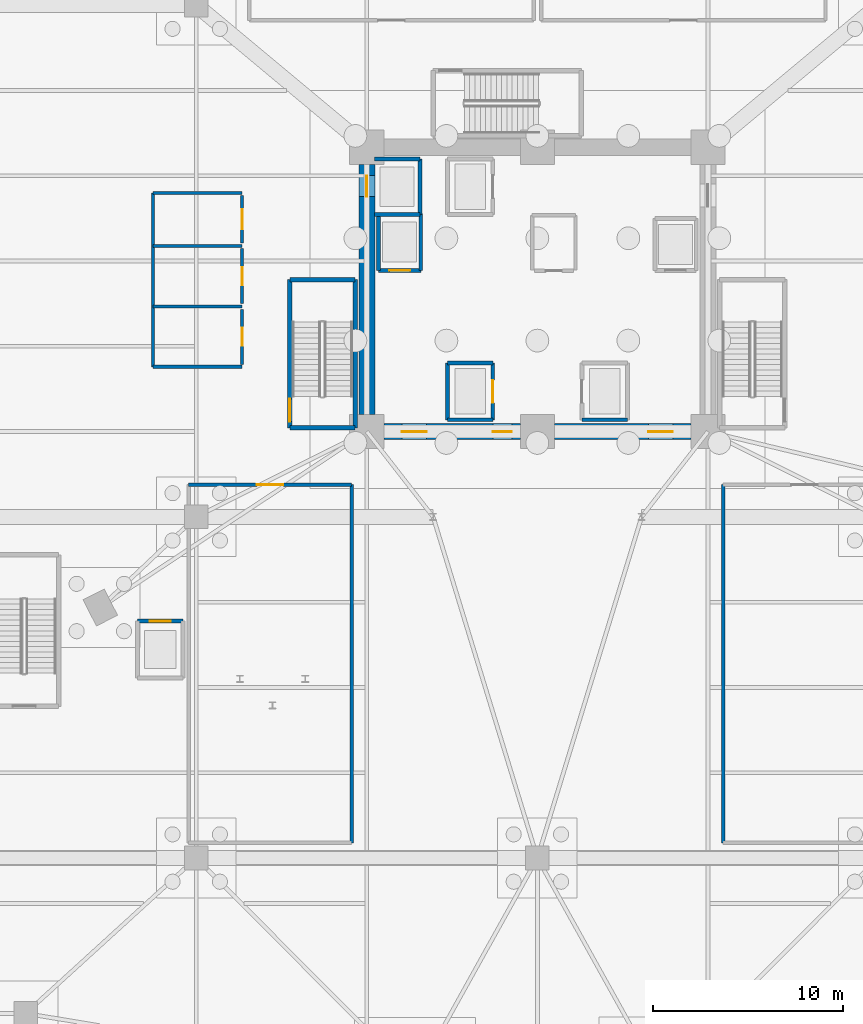
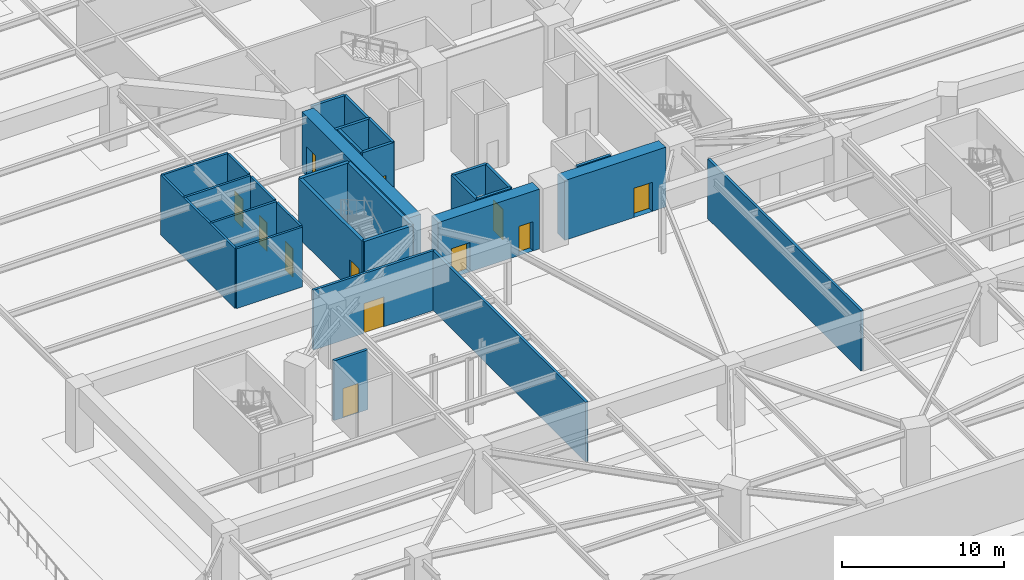
# One storey, part 10 of 19: 30 walls, 12 doors, 12 openings.
"""IFC4 building model written with IfcOpenShell, lengths in metres."""

import ifcopenshell
import ifcopenshell.guid

model = None  # the IFC model being written
_history = None  # IfcOwnerHistory: only IFC2X3 demands one
_inside = {}  # id of a spatial element -> (the spatial element, [elements in it])
_under = {}  # id of a project, library or spatial element -> (it, [spatial elements below it])
_declared = {}  # id of a project -> (the project, [libraries it declares])
_typed = {}  # id of a type object -> (the type object, [elements of that type])
_made_of = {}  # id of a material, layer set ... -> (it, [elements and type objects made of it])


def new_model(schema):
    """Start an empty IFC model of exactly this schema.

    Asked for "IFC4X3", IfcOpenShell would pick the latest addendum, in which some entities
    have other attributes; the version numbers below select the first issue.
    IFC2X3 requires an IfcOwnerHistory on every rooted entity: one is made here for all.
    """
    global model, _history
    if schema == "IFC4X3":
        model = ifcopenshell.file(schema_version=(4, 3, 0, 0))
    else:
        model = ifcopenshell.file(schema=schema)
    _inside.clear()
    _under.clear()
    _declared.clear()
    _typed.clear()
    _made_of.clear()
    _history = None
    if model.schema == "IFC2X3":
        org = make("IfcOrganization", Name="unknown")
        user = make(
            "IfcPersonAndOrganization",
            ThePerson=make("IfcPerson", FamilyName="unknown"),
            TheOrganization=org,
        )
        app = make(
            "IfcApplication",
            ApplicationDeveloper=org,
            Version="unknown",
            ApplicationFullName="unknown",
            ApplicationIdentifier="unknown",
        )
        _history = make(
            "IfcOwnerHistory",
            OwningUser=user,
            OwningApplication=app,
            ChangeAction="ADDED",
            CreationDate=0,
        )
    return model


def make(cls, **values):
    """One entity of the class cls with the attributes given. An attribute that is None is left unset."""
    return model.create_entity(
        cls, **{name: value for name, value in values.items() if value is not None}
    )


def rooted(cls, **values):
    """An entity with a GlobalId (a new one), such as an element, a storey or a relation."""
    return make(cls, GlobalId=ifcopenshell.guid.new(), OwnerHistory=_history, **values)


def si_unit(unit_type, name, prefix=None):
    """IfcSIUnit, for example si_unit("LENGTHUNIT", "METRE", prefix="MILLI")."""
    return make("IfcSIUnit", UnitType=unit_type, Prefix=prefix, Name=name)


def assignment(units):
    """IfcUnitAssignment: the units of a project."""
    return None if units is None else make("IfcUnitAssignment", Units=units)


def point(xyz):
    """IfcCartesianPoint."""
    return None if xyz is None else make("IfcCartesianPoint", Coordinates=xyz)


def direction(xyz):
    """IfcDirection."""
    return None if xyz is None else make("IfcDirection", DirectionRatios=xyz)


def frame(location, z_axis=None, x_axis=None):
    """IfcAxis2Placement3D, a coordinate frame: its origin and axes. An axis left out is left unset."""
    return make(
        "IfcAxis2Placement3D",
        Location=point(location),
        Axis=direction(z_axis),
        RefDirection=direction(x_axis),
    )


def frame_2d(location, x_axis=None):
    """IfcAxis2Placement2D, a coordinate frame in the plane: its origin and x axis."""
    return make(
        "IfcAxis2Placement2D", Location=point(location), RefDirection=direction(x_axis)
    )


def origin():
    """The frame at (0, 0, 0) with its axes left unset."""
    return frame((0.0, 0.0, 0.0))


def place(relative_to, where):
    """IfcLocalPlacement: puts the frame where relative to a parent placement (None: the world)."""
    return make(
        "IfcLocalPlacement", PlacementRelTo=relative_to, RelativePlacement=where
    )


def context(
    kind, dimensions, precision=None, world=None, true_north=None, identifier=None
):
    """IfcGeometricRepresentationContext, for example the 3D "Model" context."""
    return make(
        "IfcGeometricRepresentationContext",
        ContextIdentifier=identifier,
        ContextType=kind,
        CoordinateSpaceDimension=dimensions,
        Precision=precision,
        WorldCoordinateSystem=world,
        TrueNorth=true_north,
    )


def subcontext(parent, identifier, kind, view, scale=None):
    """IfcGeometricRepresentationSubContext, for example "Body" below "Model"."""
    return make(
        "IfcGeometricRepresentationSubContext",
        ContextIdentifier=identifier,
        ContextType=kind,
        ParentContext=parent,
        TargetScale=scale,
        TargetView=view,
    )


def project(units=None, contexts=None):
    """IfcProject with its units and contexts."""
    return rooted(
        "IfcProject",
        Name="project",
        RepresentationContexts=contexts,
        UnitsInContext=assignment(units),
    )


def spatial(cls, under=None, at=None, **own):
    """A site, building, storey or space (cls), placed at a placement, below another one or the project."""
    s = rooted(cls, ObjectPlacement=at, **own)
    if under is not None:
        _under.setdefault(under.id(), (under, []))[1].append(s)
    return s


def profile(cls, at=None, kind="AREA", **sizes):
    """A parametric profile (cls). Its sizes go by their IFC names, for example OverallWidth=200.0."""
    return make(cls, ProfileType=kind, Position=at, **sizes)


def rectangle(**sizes):
    """IfcRectangleProfileDef."""
    return profile("IfcRectangleProfileDef", **sizes)


def extrude(swept, where, along, depth):
    """IfcExtrudedAreaSolid: the profile swept, set in the frame where, extruded along a direction by depth."""
    return make(
        "IfcExtrudedAreaSolid",
        SweptArea=swept,
        Position=where,
        ExtrudedDirection=direction(along),
        Depth=depth,
    )


def shape(context_of_items, identifier, shape_type, items):
    """IfcShapeRepresentation: the items that make up one representation, for example the "Body"."""
    return make(
        "IfcShapeRepresentation",
        ContextOfItems=context_of_items,
        RepresentationIdentifier=identifier,
        RepresentationType=shape_type,
        Items=items,
    )


def source(mapping_origin, context_of_items, identifier, shape_type, items):
    """IfcRepresentationMap: a shape defined once, which mapped items show again and again."""
    return make(
        "IfcRepresentationMap",
        MappingOrigin=mapping_origin,
        MappedRepresentation=shape(context_of_items, identifier, shape_type, items),
    )


def transform(
    local_origin,
    x_axis=None,
    y_axis=None,
    z_axis=None,
    scale=None,
    scale2=None,
    scale3=None,
    uniform=True,
):
    """IfcCartesianTransformationOperator3D, or its non-uniform kind. x_axis, y_axis, z_axis: its Axis1, 2, 3."""
    if uniform:
        return make(
            "IfcCartesianTransformationOperator3D",
            Axis1=direction(x_axis),
            Axis2=direction(y_axis),
            LocalOrigin=point(local_origin),
            Scale=scale,
            Axis3=direction(z_axis),
        )
    return make(
        "IfcCartesianTransformationOperator3DnonUniform",
        Axis1=direction(x_axis),
        Axis2=direction(y_axis),
        LocalOrigin=point(local_origin),
        Scale=scale,
        Axis3=direction(z_axis),
        Scale2=scale2,
        Scale3=scale3,
    )


def mapped(mapping_source, mapping_target):
    """IfcMappedItem: shows the shape of a source again, moved by a transform."""
    return make(
        "IfcMappedItem", MappingSource=mapping_source, MappingTarget=mapping_target
    )


def material(Name=None, Category=None):
    """IfcMaterial."""
    return make("IfcMaterial", Name=Name, Category=Category)


def layer(
    of_material, thickness, ventilated=None, Name=None, Category=None, Priority=None
):
    """IfcMaterialLayer: one layer of a wall or slab, of a material (None: an air gap)."""
    return make(
        "IfcMaterialLayer",
        Material=of_material,
        LayerThickness=thickness,
        IsVentilated=ventilated,
        Name=Name,
        Category=Category,
        Priority=Priority,
    )


def layer_set(layers, Name=None):
    """IfcMaterialLayerSet."""
    return make("IfcMaterialLayerSet", MaterialLayers=layers, LayerSetName=Name)


def made_of(thing, what):
    """Note that an element or type object is made of a material, layer set ...; save() writes the relation."""
    if what is not None:
        _made_of.setdefault(what.id(), (what, []))[1].append(thing)
    return thing


def type_object(cls, material=None, **own):
    """A type object (cls), such as IfcWallType, which elements share."""
    return made_of(rooted(cls, **own), material)


def element(
    cls,
    number,
    at=None,
    inside=None,
    cuts=None,
    type_object=None,
    material=None,
    context=None,
    identifier="Body",
    shape_type=None,
    held_by="IfcProductDefinitionShape",
    body=None,
    shapes=None,
    **own,
):
    """One element of the class cls, such as IfcWall. Its Tag is "e" and its number.

    at: its placement. inside: the storey or other place that contains it. cuts: it is an
    opening in that element (IfcRelVoidsElement). A single representation is given by context,
    identifier, shape_type and body (its items); several are given by shapes. held_by: the class
    of the entity that holds the representations. save() writes the other relations.
    """
    e = rooted(cls, Tag="e%d" % number, ObjectPlacement=at, **own)
    if body is not None:
        shapes = [shape(context, identifier, shape_type, body)]
    if shapes is not None:
        e.Representation = make(held_by, Representations=shapes)
    if inside is not None:
        _inside.setdefault(inside.id(), (inside, []))[1].append(e)
    if cuts is not None:
        rooted(
            "IfcRelVoidsElement", RelatingBuildingElement=cuts, RelatedOpeningElement=e
        )
    if type_object is not None:
        _typed.setdefault(type_object.id(), (type_object, []))[1].append(e)
    return made_of(e, material)


def fill(opening, filler):
    """IfcRelFillsElement: the door or window that sits in an opening."""
    return rooted(
        "IfcRelFillsElement",
        RelatingOpeningElement=opening,
        RelatedBuildingElement=filler,
    )


def aggregate(whole, parts):
    """IfcRelAggregates: a whole, such as a stair, and the parts it consists of."""
    return rooted("IfcRelAggregates", RelatingObject=whole, RelatedObjects=parts)


def save(model, path):
    """Write the relations noted so far, then the file.

    IfcRelAggregates (storeys below a building ...), IfcRelContainedInSpatialStructure (elements
    in a storey), IfcRelDefinesByType, IfcRelAssociatesMaterial and IfcRelDeclares: one each for
    every whole, place, type object, material and project.
    """
    for whole, parts in _under.values():
        aggregate(whole, parts)
    for where, things in _inside.values():
        rooted(
            "IfcRelContainedInSpatialStructure",
            RelatedElements=things,
            RelatingStructure=where,
        )
    for kind, things in _typed.values():
        rooted("IfcRelDefinesByType", RelatedObjects=things, RelatingType=kind)
    for what, things in _made_of.values():
        rooted("IfcRelAssociatesMaterial", RelatedObjects=things, RelatingMaterial=what)
    for by, libraries in _declared.values():
        rooted("IfcRelDeclares", RelatingContext=by, RelatedDefinitions=libraries)
    model.write(path)


model = new_model("IFC4")

# Units and contexts
model_context = context("Model", 3, precision=1e-05, world=origin(), true_north=direction((0.0, 1.0)))
body_context = subcontext(model_context, "Body", "Model", "MODEL_VIEW")
ifc_project = project(units=[si_unit("LENGTHUNIT", "METRE"), si_unit("AREAUNIT", "SQUARE_METRE"), si_unit("VOLUMEUNIT", "CUBIC_METRE"), si_unit("PLANEANGLEUNIT", "RADIAN"), si_unit("MASSUNIT", "GRAM", prefix="KILO")], contexts=[model_context])

# Site, building, storey
site_placement = place(None, origin())
site = spatial("IfcSite", under=ifc_project, at=site_placement, CompositionType="ELEMENT")
building_placement = place(site_placement, origin())
building = spatial("IfcBuilding", under=site, at=building_placement, Name="Liaohun Quay Tower", CompositionType="ELEMENT")
storey_placement = place(building_placement, frame((0.0, 0.0, -9.60009765625)))
storey = spatial("IfcBuildingStorey", under=building, at=storey_placement, Name="B2", CompositionType="ELEMENT", Elevation=-9.60009765625)

# Wall, opening, door
ifc_material_1 = material(Name="Concrete C60", Category="concrete")
ifc_layer_1 = layer(ifc_material_1, 0.85009765625, Name="Concrete C60", Category="concrete")
ifc_layer_set_1 = layer_set([ifc_layer_1], Name="Concrete C60")
wall_type_1 = type_object("IfcWallType", Name="WAL-COR-Z1", PredefinedType="SHEAR", material=ifc_layer_set_1)
wall_1_placement = place(storey_placement, frame((68.10009765625, 46.5, 0.0), z_axis=(0.0, 0.0, 1.0), x_axis=(-1.0, 0.0, 0.0)))
wall_1 = element("IfcWall", 1, at=wall_1_placement, inside=storey, type_object=wall_type_1, Name="B2 Central Core Shear Wall S-E", PredefinedType="SHEAR", context=body_context, shape_type="SweptSolid", body=[
    extrude(rectangle(XDim=7.2001953125, YDim=0.85009765625, at=frame_2d((3.60009765625, 0.0))), origin(), (0.0, 0.0, 1.0), 4.5),
])
shared_shape_1 = source(origin(), body_context, "Body", "SweptSolid", [
    extrude(rectangle(XDim=1.300048828125, YDim=2.199951171875, at=frame_2d((0.64990234375, 1.10009765625))), frame((0.0, 0.43505859375, 0.0), z_axis=(0.0, -1.0, 0.0), x_axis=(1.0, 0.0, 0.0)), (0.0, 0.0, 1.0), 0.8701171875),
])
opening_1_placement = place(wall_1_placement, frame((0.949951171875, 0.0, 0.0)))
opening_1 = element("IfcOpeningElement", 2, at=opening_1_placement, cuts=wall_1, Name="Opening FD1", PredefinedType="OPENING", context=body_context, shape_type="MappedRepresentation", body=[
    mapped(shared_shape_1, transform((0.0, 0.0, 0.0), x_axis=(1.0, 0.0, 0.0), y_axis=(0.0, 1.0, 0.0), z_axis=(0.0, 0.0, 1.0), scale=1.0)),
])
ifc_material_2 = material(Name="Galvanised steel smokeproof fire door", Category="steel")
door_type_1 = type_object("IfcDoorType", Name="DOR-FFL-1300", OperationType="NOTDEFINED", PredefinedType="DOOR", material=ifc_material_2)
shared_shape_2 = source(origin(), body_context, "Body", "SweptSolid", [
    extrude(rectangle(XDim=1.300048828125, YDim=2.199951171875, at=frame_2d((0.64990234375, 1.10009765625))), frame((0.0, 0.02490234375, 0.0), z_axis=(0.0, -1.0, 0.0), x_axis=(1.0, 0.0, 0.0)), (0.0, 0.0, 1.0), 0.050048828125),
])
door_1_placement = place(opening_1_placement, origin())
door_1 = element("IfcDoor", 3, at=door_1_placement, inside=storey, type_object=door_type_1, Name="B2 East Core Lift Lobby Smokeproof Door", OperationType="SINGLE_SWING_LEFT", OverallHeight=2.199951171875, OverallWidth=1.300048828125, PredefinedType="DOOR", context=body_context, shape_type="MappedRepresentation", body=[
    mapped(shared_shape_2, transform((0.0, 0.0, 0.0), x_axis=(1.0, 0.0, 0.0), y_axis=(0.0, 1.0, 0.0), z_axis=(0.0, 0.0, 1.0), scale=1.0)),
])
fill(opening_1, door_1)

# Wall, openings, doors
wall_2_placement = place(storey_placement, frame((59.10009765625, 46.5, 0.0), z_axis=(0.0, 0.0, 1.0), x_axis=(-1.0, 0.0, 0.0)))
wall_2 = element("IfcWall", 4, at=wall_2_placement, inside=storey, type_object=wall_type_1, Name="B2 Central Core Shear Wall S-W", PredefinedType="SHEAR", context=body_context, shape_type="SweptSolid", body=[
    extrude(rectangle(XDim=7.2001953125, YDim=0.85009765625, at=frame_2d((3.60009765625, 0.0))), origin(), (0.0, 0.0, 1.0), 4.5),
])
opening_2_placement = place(wall_2_placement, frame((4.949951171875, 0.0, 0.0)))
opening_2 = element("IfcOpeningElement", 5, at=opening_2_placement, cuts=wall_2, Name="Opening FD1", PredefinedType="OPENING", context=body_context, shape_type="MappedRepresentation", body=[
    mapped(shared_shape_1, transform((0.0, 0.0, 0.0), x_axis=(1.0, 0.0, 0.0), y_axis=(0.0, 1.0, 0.0), z_axis=(0.0, 0.0, 1.0), scale=1.0)),
])
shared_shape_3 = source(origin(), body_context, "Body", "SweptSolid", [
    extrude(rectangle(XDim=1.0, YDim=2.199951171875, at=frame_2d((0.5, 1.10009765625))), frame((0.0, 0.43505859375, 0.0), z_axis=(0.0, -1.0, 0.0), x_axis=(1.0, 0.0, 0.0)), (0.0, 0.0, 1.0), 0.8701171875),
])
opening_3_placement = place(wall_2_placement, frame((0.449951171875, 0.0, 0.0)))
opening_3 = element("IfcOpeningElement", 6, at=opening_3_placement, cuts=wall_2, Name="Opening FD2", PredefinedType="OPENING", context=body_context, shape_type="MappedRepresentation", body=[
    mapped(shared_shape_3, transform((0.0, 0.0, 0.0), x_axis=(1.0, 0.0, 0.0), y_axis=(0.0, 1.0, 0.0), z_axis=(0.0, 0.0, 1.0), scale=1.0)),
])
door_2_placement = place(opening_2_placement, origin())
door_2 = element("IfcDoor", 7, at=door_2_placement, inside=storey, type_object=door_type_1, Name="B2 West Core Lift Lobby Smokeproof Door", OperationType="SINGLE_SWING_RIGHT", OverallHeight=2.199951171875, OverallWidth=1.300048828125, PredefinedType="DOOR", context=body_context, shape_type="MappedRepresentation", body=[
    mapped(shared_shape_2, transform((0.0, 0.0, 0.0), x_axis=(1.0, 0.0, 0.0), y_axis=(0.0, 1.0, 0.0), z_axis=(0.0, 0.0, 1.0), scale=1.0)),
])
fill(opening_2, door_2)
ifc_material_3 = material(Name="Galvanised steel smokeproof lobby fire door", Category="steel")
door_type_2 = type_object("IfcDoorType", Name="DOR-FFL-1000", OperationType="NOTDEFINED", PredefinedType="DOOR", material=ifc_material_3)
shared_shape_4 = source(origin(), body_context, "Body", "SweptSolid", [
    extrude(rectangle(XDim=1.0, YDim=2.199951171875, at=frame_2d((0.5, 1.10009765625))), frame((0.0, 0.02490234375, 0.0), z_axis=(0.0, -1.0, 0.0), x_axis=(1.0, 0.0, 0.0)), (0.0, 0.0, 1.0), 0.050048828125),
])
door_3_placement = place(opening_3_placement, origin())
door_3 = element("IfcDoor", 8, at=door_3_placement, inside=storey, type_object=door_type_2, Name="B2 South Firefighting Lobby Smokeproof Door", OperationType="SINGLE_SWING_LEFT", OverallHeight=2.199951171875, OverallWidth=1.0, PredefinedType="DOOR", context=body_context, shape_type="MappedRepresentation", body=[
    mapped(shared_shape_4, transform((0.0, 0.0, 0.0), x_axis=(1.0, 0.0, 0.0), y_axis=(0.0, 1.0, 0.0), z_axis=(0.0, 0.0, 1.0), scale=1.0)),
])
fill(opening_3, door_3)

# Wall, opening, door
wall_3_placement = place(storey_placement, frame((51.0, 47.39990234375, 0.0), z_axis=(0.0, 0.0, 1.0), x_axis=(0.0, 1.0, 0.0)))
wall_3 = element("IfcWall", 9, at=wall_3_placement, inside=storey, type_object=wall_type_1, Name="B2 Central Core Shear Wall W", PredefinedType="SHEAR", context=body_context, shape_type="SweptSolid", body=[
    extrude(rectangle(XDim=13.2001953125, YDim=0.85009765625, at=frame_2d((6.60009765625, 0.0))), origin(), (0.0, 0.0, 1.0), 4.5),
])
shared_shape_5 = source(origin(), body_context, "Body", "SweptSolid", [
    extrude(rectangle(XDim=1.10009765625, YDim=2.199951171875, at=frame_2d((0.550048828125, 1.10009765625))), frame((0.0, 0.43505859375, 0.0), z_axis=(0.0, -1.0, 0.0), x_axis=(1.0, 0.0, 0.0)), (0.0, 0.0, 1.0), 0.8701171875),
])
opening_4_placement = place(wall_3_placement, frame((11.5, 0.0, 0.0)))
opening_4 = element("IfcOpeningElement", 10, at=opening_4_placement, cuts=wall_3, Name="Opening LD1", PredefinedType="OPENING", context=body_context, shape_type="MappedRepresentation", body=[
    mapped(shared_shape_5, transform((0.0, 0.0, 0.0), x_axis=(1.0, 0.0, 0.0), y_axis=(0.0, 1.0, 0.0), z_axis=(0.0, 0.0, 1.0), scale=1.0)),
])
ifc_material_4 = material(Name="Brushed stainless steel landing door", Category="steel")
door_type_3 = type_object("IfcDoorType", Name="DOR-LFT-1100", OperationType="SLIDING_TO_LEFT", PredefinedType="DOOR", material=ifc_material_4)
shared_shape_6 = source(origin(), body_context, "Body", "SweptSolid", [
    extrude(rectangle(XDim=1.10009765625, YDim=2.199951171875, at=frame_2d((0.550048828125, 1.10009765625))), frame((0.0, 0.02490234375, 0.0), z_axis=(0.0, -1.0, 0.0), x_axis=(1.0, 0.0, 0.0)), (0.0, 0.0, 1.0), 0.050048828125),
])
door_4_placement = place(opening_4_placement, origin())
door_4 = element("IfcDoor", 11, at=door_4_placement, inside=storey, type_object=door_type_3, Name="B2 Lift SH-01 Sliding Landing Door", OperationType="SLIDING_TO_LEFT", OverallHeight=2.199951171875, OverallWidth=1.10009765625, PredefinedType="DOOR", context=body_context, shape_type="MappedRepresentation", body=[
    mapped(shared_shape_6, transform((0.0, 0.0, 0.0), x_axis=(1.0, 0.0, 0.0), y_axis=(0.0, 1.0, 0.0), z_axis=(0.0, 0.0, 1.0), scale=1.0)),
])
fill(opening_4, door_4)

ifc_material_5 = material(Name="Autoclaved aerated concrete blockwork", Category="masonry")
ifc_layer_2 = layer(ifc_material_5, 0.179931640625, Name="Autoclaved aerated concrete blockwork", Category="masonry")
ifc_layer_set_2 = layer_set([ifc_layer_2], Name="Autoclaved aerated concrete blockwork")
wall_type_2 = type_object("IfcWallType", Name="WAL-PRT-COR", PredefinedType="PARTITIONING", material=ifc_layer_set_2)
wall_4_placement = place(storey_placement, frame((41.60009765625, 43.699951171875, 0.0), z_axis=(0.0, 0.0, 1.0), x_axis=(1.0, 0.0, 0.0)))
wall_4 = element("IfcWall", 12, at=wall_4_placement, inside=storey, type_object=wall_type_2, Name="B2 Interior Partition Wall 005", PredefinedType="PARTITIONING", context=body_context, shape_type="SweptSolid", body=[
    extrude(rectangle(XDim=8.599853515625, YDim=0.179931640625, at=frame_2d((4.2998046875, 0.0))), origin(), (0.0, 0.0, 1.0), 4.5),
])
shared_shape_7 = source(origin(), body_context, "Body", "SweptSolid", [
    extrude(rectangle(XDim=1.39990234375, YDim=2.25, at=frame_2d((0.699951171875, 1.125))), frame((0.0, 0.099853515625, 0.0), z_axis=(0.0, -1.0, 0.0), x_axis=(1.0, 0.0, 0.0)), (0.0, 0.0, 1.0), 0.199951171875),
])
opening_5_placement = place(wall_4_placement, frame((3.60009765625, 0.0, 0.0)))
opening_5 = element("IfcOpeningElement", 13, at=opening_5_placement, cuts=wall_4, Name="Opening MD1", PredefinedType="OPENING", context=body_context, shape_type="MappedRepresentation", body=[
    mapped(shared_shape_7, transform((0.0, 0.0, 0.0), x_axis=(1.0, 0.0, 0.0), y_axis=(0.0, 1.0, 0.0), z_axis=(0.0, 0.0, 1.0), scale=1.0)),
])
ifc_material_6 = material(Name="Insulated steel plant room door", Category="steel")
door_type_4 = type_object("IfcDoorType", Name="DOR-MEP-1400", OperationType="DOUBLE_DOOR_SINGLE_SWING", PredefinedType="DOOR", material=ifc_material_6)
shared_shape_8 = source(origin(), body_context, "Body", "SweptSolid", [
    extrude(rectangle(XDim=1.39990234375, YDim=2.25, at=frame_2d((0.699951171875, 1.125))), frame((0.0, 0.02490234375, 0.0), z_axis=(0.0, -1.0, 0.0), x_axis=(1.0, 0.0, 0.0)), (0.0, 0.0, 1.0), 0.050048828125),
])
door_5_placement = place(opening_5_placement, origin())
door_5 = element("IfcDoor", 14, at=door_5_placement, inside=storey, type_object=door_type_4, Name="B2 Basement District Heating and Chiller Plant Room Door", OperationType="DOUBLE_DOOR_SINGLE_SWING", OverallHeight=2.25, OverallWidth=1.39990234375, PredefinedType="DOOR", context=body_context, shape_type="MappedRepresentation", body=[
    mapped(shared_shape_8, transform((0.0, 0.0, 0.0), x_axis=(1.0, 0.0, 0.0), y_axis=(0.0, 1.0, 0.0), z_axis=(0.0, 0.0, 1.0), scale=1.0)),
])
fill(opening_5, door_5)

# Walls
for number, where, z_axis, x_axis, name in (
    (15, (50.199951171875, 24.800048828125, 0.0), (0.0, 0.0, 1.0), (0.0, 1.0, 0.0), "B2 Interior Partition Wall 019"),
    (16, (69.800048828125, 24.800048828125, 0.0), (0.0, 0.0, 1.0), (0.0, 1.0, 0.0), "B2 Interior Partition Wall 021"),
):
    element("IfcWall", number, at=place(storey_placement, frame(where, z_axis=z_axis, x_axis=x_axis)), inside=storey, type_object=wall_type_2, Name=name, PredefinedType="PARTITIONING", context=body_context, shape_type="SweptSolid", body=[
        extrude(rectangle(XDim=18.89990234375, YDim=0.179931640625, at=frame_2d((9.449951171875, 0.0))), origin(), (0.0, 0.0, 1.0), 4.5),
    ])

# Wall, opening, door
ifc_material_7 = material(Name="Moisture-resistant masonry blockwork", Category="masonry")
ifc_layer_3 = layer(ifc_material_7, 0.159912109375, Name="Moisture-resistant masonry blockwork", Category="masonry")
ifc_layer_set_3 = layer_set([ifc_layer_3], Name="Moisture-resistant masonry blockwork")
wall_type_3 = type_object("IfcWallType", Name="WAL-PRT-WET", PredefinedType="PARTITIONING", material=ifc_layer_set_3)
wall_5_placement = place(storey_placement, frame((44.419921875, 50.050048828125, 0.0), z_axis=(0.0, 0.0, 1.0), x_axis=(0.0, 1.0, 0.0)))
wall_5 = element("IfcWall", 17, at=wall_5_placement, inside=storey, type_object=wall_type_3, Name="B2 Interior Partition Wall 002", PredefinedType="PARTITIONING", context=body_context, shape_type="SweptSolid", body=[
    extrude(rectangle(XDim=2.89990234375, YDim=0.159912109375, at=frame_2d((1.449951171875, 0.0))), origin(), (0.0, 0.0, 1.0), 4.5),
])
shared_shape_9 = source(origin(), body_context, "Body", "SweptSolid", [
    extrude(rectangle(XDim=0.949951171875, YDim=2.14990234375, at=frame_2d((0.47509765625, 1.074951171875))), frame((0.0, 0.08984375, 0.0), z_axis=(0.0, -1.0, 0.0), x_axis=(1.0, 0.0, 0.0)), (0.0, 0.0, 1.0), 0.179931640625),
])
opening_6_placement = place(wall_5_placement, frame((0.97509765625, 0.0, 0.0)))
opening_6 = element("IfcOpeningElement", 18, at=opening_6_placement, cuts=wall_5, Name="Opening WD1", PredefinedType="OPENING", context=body_context, shape_type="MappedRepresentation", body=[
    mapped(shared_shape_9, transform((0.0, 0.0, 0.0), x_axis=(1.0, 0.0, 0.0), y_axis=(0.0, 1.0, 0.0), z_axis=(0.0, 0.0, 1.0), scale=1.0)),
])
ifc_material_8 = material(Name="Moisture-resistant laminate timber leaf", Category="wood")
door_type_5 = type_object("IfcDoorType", Name="DOR-WC-950", OperationType="NOTDEFINED", PredefinedType="DOOR", material=ifc_material_8)
shared_shape_10 = source(origin(), body_context, "Body", "SweptSolid", [
    extrude(rectangle(XDim=0.949951171875, YDim=2.14990234375, at=frame_2d((0.47509765625, 1.074951171875))), frame((0.0, 0.02490234375, 0.0), z_axis=(0.0, -1.0, 0.0), x_axis=(1.0, 0.0, 0.0)), (0.0, 0.0, 1.0), 0.050048828125),
])
door_6_placement = place(opening_6_placement, origin())
door_6 = element("IfcDoor", 19, at=door_6_placement, inside=storey, type_object=door_type_5, Name="B2 Basement Male Restroom WC Door", OperationType="SINGLE_SWING_LEFT", OverallHeight=2.14990234375, OverallWidth=0.949951171875, PredefinedType="DOOR", context=body_context, shape_type="MappedRepresentation", body=[
    mapped(shared_shape_10, transform((0.0, 0.0, 0.0), x_axis=(1.0, 0.0, 0.0), y_axis=(0.0, 1.0, 0.0), z_axis=(0.0, 0.0, 1.0), scale=1.0)),
])
fill(opening_6, door_6)

wall_6_placement = place(storey_placement, frame((44.419921875, 53.25, 0.0), z_axis=(0.0, 0.0, 1.0), x_axis=(0.0, 1.0, 0.0)))
wall_6 = element("IfcWall", 20, at=wall_6_placement, inside=storey, type_object=wall_type_3, Name="B2 Interior Partition Wall 003", PredefinedType="PARTITIONING", context=body_context, shape_type="SweptSolid", body=[
    extrude(rectangle(XDim=2.89990234375, YDim=0.159912109375, at=frame_2d((1.449951171875, 0.0))), origin(), (0.0, 0.0, 1.0), 4.5),
])
opening_7_placement = place(wall_6_placement, frame((0.97509765625, 0.0, 0.0)))
opening_7 = element("IfcOpeningElement", 21, at=opening_7_placement, cuts=wall_6, Name="Opening WD1", PredefinedType="OPENING", context=body_context, shape_type="MappedRepresentation", body=[
    mapped(shared_shape_9, transform((0.0, 0.0, 0.0), x_axis=(1.0, 0.0, 0.0), y_axis=(0.0, 1.0, 0.0), z_axis=(0.0, 0.0, 1.0), scale=1.0)),
])
door_7_placement = place(opening_7_placement, origin())
door_7 = element("IfcDoor", 22, at=door_7_placement, inside=storey, type_object=door_type_5, Name="B2 Basement Female Restroom WC Door", OperationType="SINGLE_SWING_RIGHT", OverallHeight=2.14990234375, OverallWidth=0.949951171875, PredefinedType="DOOR", context=body_context, shape_type="MappedRepresentation", body=[
    mapped(shared_shape_10, transform((0.0, 0.0, 0.0), x_axis=(1.0, 0.0, 0.0), y_axis=(0.0, 1.0, 0.0), z_axis=(0.0, 0.0, 1.0), scale=1.0)),
])
fill(opening_7, door_7)

wall_7_placement = place(storey_placement, frame((44.419921875, 56.449951171875, 0.0), z_axis=(0.0, 0.0, 1.0), x_axis=(0.0, 1.0, 0.0)))
wall_7 = element("IfcWall", 23, at=wall_7_placement, inside=storey, type_object=wall_type_3, Name="B2 Interior Partition Wall 004", PredefinedType="PARTITIONING", context=body_context, shape_type="SweptSolid", body=[
    extrude(rectangle(XDim=2.5, YDim=0.159912109375, at=frame_2d((1.25, 0.0))), origin(), (0.0, 0.0, 1.0), 4.5),
])
shared_shape_11 = source(origin(), body_context, "Body", "SweptSolid", [
    extrude(rectangle(XDim=1.050048828125, YDim=2.14990234375, at=frame_2d((0.52490234375, 1.074951171875))), frame((0.0, 0.08984375, 0.0), z_axis=(0.0, -1.0, 0.0), x_axis=(1.0, 0.0, 0.0)), (0.0, 0.0, 1.0), 0.179931640625),
])
opening_8_placement = place(wall_7_placement, frame((0.72509765625, 0.0, 0.0)))
opening_8 = element("IfcOpeningElement", 24, at=opening_8_placement, cuts=wall_7, Name="Opening WD2", PredefinedType="OPENING", context=body_context, shape_type="MappedRepresentation", body=[
    mapped(shared_shape_11, transform((0.0, 0.0, 0.0), x_axis=(1.0, 0.0, 0.0), y_axis=(0.0, 1.0, 0.0), z_axis=(0.0, 0.0, 1.0), scale=1.0)),
])
ifc_material_9 = material(Name="Accessible outward-swinging laminate door")
door_type_6 = type_object("IfcDoorType", Name="DOR-AWC-1050", OperationType="NOTDEFINED", PredefinedType="DOOR", material=ifc_material_9)
shared_shape_12 = source(origin(), body_context, "Body", "SweptSolid", [
    extrude(rectangle(XDim=1.050048828125, YDim=2.14990234375, at=frame_2d((0.52490234375, 1.074951171875))), frame((0.0, 0.02490234375, 0.0), z_axis=(0.0, -1.0, 0.0), x_axis=(1.0, 0.0, 0.0)), (0.0, 0.0, 1.0), 0.050048828125),
])
door_8_placement = place(opening_8_placement, origin())
door_8 = element("IfcDoor", 25, at=door_8_placement, inside=storey, type_object=door_type_6, Name="B2 Basement Accessible WC Door", OperationType="SINGLE_SWING_LEFT", OverallHeight=2.14990234375, OverallWidth=1.050048828125, PredefinedType="DOOR", context=body_context, shape_type="MappedRepresentation", body=[
    mapped(shared_shape_12, transform((0.0, 0.0, 0.0), x_axis=(1.0, 0.0, 0.0), y_axis=(0.0, 1.0, 0.0), z_axis=(0.0, 0.0, 1.0), scale=1.0)),
])
fill(opening_8, door_8)

# Walls
wall_8_placement = place(storey_placement, frame((39.719970703125, 49.919921875, 0.0), z_axis=(0.0, 0.0, 1.0), x_axis=(0.0, 1.0, 0.0)))
element("IfcWall", 26, at=wall_8_placement, inside=storey, type_object=wall_type_3, Name="B2 Interior Partition Wall 012", PredefinedType="PARTITIONING", context=body_context, shape_type="SweptSolid", body=[
    extrude(rectangle(XDim=9.16015625, YDim=0.159912109375, at=frame_2d((4.580078125, 0.0))), origin(), (0.0, 0.0, 1.0), 4.5),
])
for number, where, z_axis, x_axis, name in (
    (27, (39.719970703125, 49.919921875, 0.0), (0.0, 0.0, 1.0), (1.0, 0.0, 0.0), "B2 Interior Partition Wall 013"),
    (28, (39.719970703125, 53.10009765625, 0.0), (0.0, 0.0, 1.0), (1.0, 0.0, 0.0), "B2 Interior Partition Wall 014"),
    (29, (39.719970703125, 56.300048828125, 0.0), (0.0, 0.0, 1.0), (1.0, 0.0, 0.0), "B2 Interior Partition Wall 015"),
    (30, (39.719970703125, 59.080078125, 0.0), (0.0, 0.0, 1.0), (1.0, 0.0, 0.0), "B2 Interior Partition Wall 016"),
):
    element("IfcWall", number, at=place(storey_placement, frame(where, z_axis=z_axis, x_axis=x_axis)), inside=storey, type_object=wall_type_3, Name=name, PredefinedType="PARTITIONING", context=body_context, shape_type="SweptSolid", body=[
        extrude(rectangle(XDim=4.699951171875, YDim=0.159912109375, at=frame_2d((2.35009765625, 0.0))), origin(), (0.0, 0.0, 1.0), 4.5),
    ])
ifc_material_10 = material(Name="Concrete C50", Category="concrete")
ifc_layer_4 = layer(ifc_material_10, 0.239990234375, Name="Concrete C50", Category="concrete")
ifc_layer_set_4 = layer_set([ifc_layer_4], Name="Concrete C50")
wall_type_4 = type_object("IfcWallType", Name="WAL-SHF-200", PredefinedType="SOLIDWALL", material=ifc_layer_set_4)
wall_9_placement = place(storey_placement, frame((46.93994140625, 46.699951171875, 0.0), z_axis=(0.0, 0.0, 1.0), x_axis=(1.0, 0.0, 0.0)))
element("IfcWall", 31, at=wall_9_placement, inside=storey, type_object=wall_type_4, Name="B2 Stairwell ST-1 Structural Core Wall S", PredefinedType="SOLIDWALL", context=body_context, shape_type="SweptSolid", body=[
    extrude(rectangle(XDim=3.43994140625, YDim=0.239990234375, at=frame_2d((1.719970703125, 0.0))), origin(), (0.0, 0.0, 1.0), 4.5),
])
wall_10_placement = place(storey_placement, frame((50.3798828125, 46.699951171875, 0.0), z_axis=(0.0, 0.0, 1.0), x_axis=(0.0, 1.0, 0.0)))
element("IfcWall", 32, at=wall_10_placement, inside=storey, type_object=wall_type_4, Name="B2 Stairwell ST-1 Structural Core Wall E", PredefinedType="SOLIDWALL", context=body_context, shape_type="SweptSolid", body=[
    extrude(rectangle(XDim=7.820068359375, YDim=0.239990234375, at=frame_2d((3.91015625, 0.0))), origin(), (0.0, 0.0, 1.0), 4.5),
])
wall_11_placement = place(storey_placement, frame((50.3798828125, 54.52001953125, 0.0), z_axis=(0.0, 0.0, 1.0), x_axis=(-1.0, 0.0, 0.0)))
element("IfcWall", 33, at=wall_11_placement, inside=storey, type_object=wall_type_4, Name="B2 Stairwell ST-1 Structural Core Wall N", PredefinedType="SOLIDWALL", context=body_context, shape_type="SweptSolid", body=[
    extrude(rectangle(XDim=3.43994140625, YDim=0.239990234375, at=frame_2d((1.719970703125, 0.0))), origin(), (0.0, 0.0, 1.0), 4.5),
])

# Wall, opening, door
wall_12_placement = place(storey_placement, frame((46.93994140625, 54.52001953125, 0.0), z_axis=(0.0, 0.0, 1.0), x_axis=(0.0, -1.0, 0.0)))
wall_12 = element("IfcWall", 34, at=wall_12_placement, inside=storey, type_object=wall_type_4, Name="B2 Stairwell ST-1 Structural Core Wall W", PredefinedType="SOLIDWALL", context=body_context, shape_type="SweptSolid", body=[
    extrude(rectangle(XDim=7.820068359375, YDim=0.239990234375, at=frame_2d((3.91015625, 0.0))), origin(), (0.0, 0.0, 1.0), 4.5),
])
shared_shape_13 = source(origin(), body_context, "Body", "SweptSolid", [
    extrude(rectangle(XDim=1.199951171875, YDim=2.199951171875, at=frame_2d((0.60009765625, 1.10009765625))), frame((0.0, 0.1298828125, 0.0), z_axis=(0.0, -1.0, 0.0), x_axis=(1.0, 0.0, 0.0)), (0.0, 0.0, 1.0), 0.260009765625),
])
opening_9_placement = place(wall_12_placement, frame((6.300048828125, 0.0, 0.0)))
opening_9 = element("IfcOpeningElement", 35, at=opening_9_placement, cuts=wall_12, Name="Opening SD1", PredefinedType="OPENING", context=body_context, shape_type="MappedRepresentation", body=[
    mapped(shared_shape_13, transform((0.0, 0.0, 0.0), x_axis=(1.0, 0.0, 0.0), y_axis=(0.0, 1.0, 0.0), z_axis=(0.0, 0.0, 1.0), scale=1.0)),
])
ifc_material_11 = material(Name="Galvanised steel fire door", Category="steel")
door_type_7 = type_object("IfcDoorType", Name="DOR-STR-1200", OperationType="NOTDEFINED", PredefinedType="DOOR", material=ifc_material_11)
shared_shape_14 = source(origin(), body_context, "Body", "SweptSolid", [
    extrude(rectangle(XDim=1.199951171875, YDim=2.199951171875, at=frame_2d((0.60009765625, 1.10009765625))), frame((0.0, 0.02490234375, 0.0), z_axis=(0.0, -1.0, 0.0), x_axis=(1.0, 0.0, 0.0)), (0.0, 0.0, 1.0), 0.050048828125),
])
door_9_placement = place(opening_9_placement, origin())
door_9 = element("IfcDoor", 36, at=door_9_placement, inside=storey, type_object=door_type_7, Name="B2 Protected Stair ST-1 Fire Door", OperationType="SINGLE_SWING_LEFT", OverallHeight=2.199951171875, OverallWidth=1.199951171875, PredefinedType="DOOR", context=body_context, shape_type="MappedRepresentation", body=[
    mapped(shared_shape_14, transform((0.0, 0.0, 0.0), x_axis=(1.0, 0.0, 0.0), y_axis=(0.0, 1.0, 0.0), z_axis=(0.0, 0.0, 1.0), scale=1.0)),
])
fill(opening_9, door_9)

# Wall
wall_13_placement = place(storey_placement, frame((55.25, 47.1201171875, 0.0), z_axis=(0.0, 0.0, 1.0), x_axis=(1.0, 0.0, 0.0)))
element("IfcWall", 37, at=wall_13_placement, inside=storey, type_object=wall_type_4, Name="B2 Lift FF-01 Hoistway Wall S", PredefinedType="SOLIDWALL", context=body_context, shape_type="SweptSolid", body=[
    extrude(rectangle(XDim=2.39990234375, YDim=0.199951171875, at=frame_2d((1.199951171875, 0.0))), origin(), (0.0, 0.0, 1.0), 4.5),
])

# Wall, opening, door
wall_14_placement = place(storey_placement, frame((57.64990234375, 47.1201171875, 0.0), z_axis=(0.0, 0.0, 1.0), x_axis=(0.0, 1.0, 0.0)))
wall_14 = element("IfcWall", 38, at=wall_14_placement, inside=storey, type_object=wall_type_4, Name="B2 Lift FF-01 Hoistway Wall E", PredefinedType="SOLIDWALL", context=body_context, shape_type="SweptSolid", body=[
    extrude(rectangle(XDim=3.0, YDim=0.199951171875, at=frame_2d((1.5, 0.0))), origin(), (0.0, 0.0, 1.0), 4.5),
])
shared_shape_15 = source(origin(), body_context, "Body", "SweptSolid", [
    extrude(rectangle(XDim=1.199951171875, YDim=2.300048828125, at=frame_2d((0.60009765625, 1.14990234375))), frame((0.0, 0.10986328125, 0.0), z_axis=(0.0, -1.0, 0.0), x_axis=(1.0, 0.0, 0.0)), (0.0, 0.0, 1.0), 0.219970703125),
])
opening_10_placement = place(wall_14_placement, frame((0.89990234375, 0.0, 0.0)))
opening_10 = element("IfcOpeningElement", 39, at=opening_10_placement, cuts=wall_14, Name="Opening LD2", PredefinedType="OPENING", context=body_context, shape_type="MappedRepresentation", body=[
    mapped(shared_shape_15, transform((0.0, 0.0, 0.0), x_axis=(1.0, 0.0, 0.0), y_axis=(0.0, 1.0, 0.0), z_axis=(0.0, 0.0, 1.0), scale=1.0)),
])
ifc_material_12 = material(Name="Brushed stainless steel stretcher landing door", Category="steel")
door_type_8 = type_object("IfcDoorType", Name="DOR-LFT-1200", OperationType="SLIDING_TO_LEFT", PredefinedType="DOOR", material=ifc_material_12)
shared_shape_16 = source(origin(), body_context, "Body", "SweptSolid", [
    extrude(rectangle(XDim=1.199951171875, YDim=2.300048828125, at=frame_2d((0.60009765625, 1.14990234375))), frame((0.0, 0.02490234375, 0.0), z_axis=(0.0, -1.0, 0.0), x_axis=(1.0, 0.0, 0.0)), (0.0, 0.0, 1.0), 0.050048828125),
])
door_10_placement = place(opening_10_placement, origin())
door_10 = element("IfcDoor", 40, at=door_10_placement, inside=storey, type_object=door_type_8, Name="B2 Lift FF-01 Sliding Landing Door", OperationType="SLIDING_TO_LEFT", OverallHeight=2.300048828125, OverallWidth=1.199951171875, PredefinedType="DOOR", context=body_context, shape_type="MappedRepresentation", body=[
    mapped(shared_shape_16, transform((0.0, 0.0, 0.0), x_axis=(1.0, 0.0, 0.0), y_axis=(0.0, 1.0, 0.0), z_axis=(0.0, 0.0, 1.0), scale=1.0)),
])
fill(opening_10, door_10)

# Walls
wall_15_placement = place(storey_placement, frame((57.64990234375, 50.1201171875, 0.0), z_axis=(0.0, 0.0, 1.0), x_axis=(-1.0, 0.0, 0.0)))
element("IfcWall", 41, at=wall_15_placement, inside=storey, type_object=wall_type_4, Name="B2 Lift FF-01 Hoistway Wall N", PredefinedType="SOLIDWALL", context=body_context, shape_type="SweptSolid", body=[
    extrude(rectangle(XDim=2.39990234375, YDim=0.199951171875, at=frame_2d((1.199951171875, 0.0))), origin(), (0.0, 0.0, 1.0), 4.5),
])
wall_16_placement = place(storey_placement, frame((55.25, 50.1201171875, 0.0), z_axis=(0.0, 0.0, 1.0), x_axis=(0.0, -1.0, 0.0)))
element("IfcWall", 42, at=wall_16_placement, inside=storey, type_object=wall_type_4, Name="B2 Lift FF-01 Hoistway Wall W", PredefinedType="SOLIDWALL", context=body_context, shape_type="SweptSolid", body=[
    extrude(rectangle(XDim=3.0, YDim=0.199951171875, at=frame_2d((1.5, 0.0))), origin(), (0.0, 0.0, 1.0), 4.5),
])
wall_17_placement = place(storey_placement, frame((62.35009765625, 47.1201171875, 0.0), z_axis=(0.0, 0.0, 1.0), x_axis=(1.0, 0.0, 0.0)))
element("IfcWall", 43, at=wall_17_placement, inside=storey, type_object=wall_type_4, Name="B2 Lift FF-02 Hoistway Wall S", PredefinedType="SOLIDWALL", context=body_context, shape_type="SweptSolid", body=[
    extrude(rectangle(XDim=2.39990234375, YDim=0.199951171875, at=frame_2d((1.199951171875, 0.0))), origin(), (0.0, 0.0, 1.0), 4.5),
])
wall_18_placement = place(storey_placement, frame((51.39990234375, 57.949951171875, 0.0), z_axis=(0.0, 0.0, 1.0), x_axis=(1.0, 0.0, 0.0)))
element("IfcWall", 44, at=wall_18_placement, inside=storey, type_object=wall_type_4, Name="B2 Lift SH-01 Hoistway Wall S", PredefinedType="SOLIDWALL", context=body_context, shape_type="SweptSolid", body=[
    extrude(rectangle(XDim=2.400146484375, YDim=0.199951171875, at=frame_2d((1.2001953125, 0.0))), origin(), (0.0, 0.0, 1.0), 4.5),
])
wall_19_placement = place(storey_placement, frame((53.800048828125, 57.949951171875, 0.0), z_axis=(0.0, 0.0, 1.0), x_axis=(0.0, 1.0, 0.0)))
element("IfcWall", 45, at=wall_19_placement, inside=storey, type_object=wall_type_4, Name="B2 Lift SH-01 Hoistway Wall E", PredefinedType="SOLIDWALL", context=body_context, shape_type="SweptSolid", body=[
    extrude(rectangle(XDim=2.929931640625, YDim=0.199951171875, at=frame_2d((1.46484375, 0.0))), origin(), (0.0, 0.0, 1.0), 4.5),
])
wall_20_placement = place(storey_placement, frame((53.800048828125, 60.8798828125, 0.0), z_axis=(0.0, 0.0, 1.0), x_axis=(-1.0, 0.0, 0.0)))
element("IfcWall", 46, at=wall_20_placement, inside=storey, type_object=wall_type_4, Name="B2 Lift SH-01 Hoistway Wall N", PredefinedType="SOLIDWALL", context=body_context, shape_type="SweptSolid", body=[
    extrude(rectangle(XDim=2.400146484375, YDim=0.199951171875, at=frame_2d((1.2001953125, 0.0))), origin(), (0.0, 0.0, 1.0), 4.5),
])

# Wall, opening, door
wall_21_placement = place(storey_placement, frame((51.6201171875, 55.0, 0.0), z_axis=(0.0, 0.0, 1.0), x_axis=(1.0, 0.0, 0.0)))
wall_21 = element("IfcWall", 47, at=wall_21_placement, inside=storey, type_object=wall_type_4, Name="B2 Lift SH-02 Hoistway Wall S", PredefinedType="SOLIDWALL", context=body_context, shape_type="SweptSolid", body=[
    extrude(rectangle(XDim=2.22998046875, YDim=0.199951171875, at=frame_2d((1.114990234375, 0.0))), origin(), (0.0, 0.0, 1.0), 4.5),
])
shared_shape_17 = source(origin(), body_context, "Body", "SweptSolid", [
    extrude(rectangle(XDim=1.10009765625, YDim=2.199951171875, at=frame_2d((0.550048828125, 1.10009765625))), frame((0.0, 0.10986328125, 0.0), z_axis=(0.0, -1.0, 0.0), x_axis=(1.0, 0.0, 0.0)), (0.0, 0.0, 1.0), 0.219970703125),
])
opening_11_placement = place(wall_21_placement, frame((0.56494140625, 0.0, 0.0)))
opening_11 = element("IfcOpeningElement", 48, at=opening_11_placement, cuts=wall_21, Name="Opening LD1", PredefinedType="OPENING", context=body_context, shape_type="MappedRepresentation", body=[
    mapped(shared_shape_17, transform((0.0, 0.0, 0.0), x_axis=(1.0, 0.0, 0.0), y_axis=(0.0, 1.0, 0.0), z_axis=(0.0, 0.0, 1.0), scale=1.0)),
])
door_11_placement = place(opening_11_placement, origin())
door_11 = element("IfcDoor", 49, at=door_11_placement, inside=storey, type_object=door_type_3, Name="B2 Lift SH-02 Sliding Landing Door", OperationType="SLIDING_TO_LEFT", OverallHeight=2.199951171875, OverallWidth=1.10009765625, PredefinedType="DOOR", context=body_context, shape_type="MappedRepresentation", body=[
    mapped(shared_shape_6, transform((0.0, 0.0, 0.0), x_axis=(1.0, 0.0, 0.0), y_axis=(0.0, 1.0, 0.0), z_axis=(0.0, 0.0, 1.0), scale=1.0)),
])
fill(opening_11, door_11)

# Walls
for number, where, z_axis, x_axis, name in (
    (50, (53.85009765625, 55.0, 0.0), (0.0, 0.0, 1.0), (0.0, 1.0, 0.0), "B2 Lift SH-02 Hoistway Wall E"),
    (51, (51.6201171875, 58.0, 0.0), (0.0, 0.0, 1.0), (0.0, -1.0, 0.0), "B2 Lift SH-02 Hoistway Wall W"),
):
    element("IfcWall", number, at=place(storey_placement, frame(where, z_axis=z_axis, x_axis=x_axis)), inside=storey, type_object=wall_type_4, Name=name, PredefinedType="SOLIDWALL", context=body_context, shape_type="SweptSolid", body=[
        extrude(rectangle(XDim=3.0, YDim=0.199951171875, at=frame_2d((1.5, 0.0))), origin(), (0.0, 0.0, 1.0), 4.5),
    ])

# Wall, opening, door
wall_22_placement = place(storey_placement, frame((41.300048828125, 36.5, 0.0), z_axis=(0.0, 0.0, 1.0), x_axis=(-1.0, 0.0, 0.0)))
wall_22 = element("IfcWall", 52, at=wall_22_placement, inside=storey, type_object=wall_type_4, Name="B2 Lift PD-01 Hoistway Wall N", PredefinedType="SOLIDWALL", context=body_context, shape_type="SweptSolid", body=[
    extrude(rectangle(XDim=2.400146484375, YDim=0.199951171875, at=frame_2d((1.2001953125, 0.0))), origin(), (0.0, 0.0, 1.0), 4.5),
])
opening_12_placement = place(wall_22_placement, frame((0.64990234375, 0.0, 0.0)))
opening_12 = element("IfcOpeningElement", 53, at=opening_12_placement, cuts=wall_22, Name="Opening LD1", PredefinedType="OPENING", context=body_context, shape_type="MappedRepresentation", body=[
    mapped(shared_shape_17, transform((0.0, 0.0, 0.0), x_axis=(1.0, 0.0, 0.0), y_axis=(0.0, 1.0, 0.0), z_axis=(0.0, 0.0, 1.0), scale=1.0)),
])
door_12_placement = place(opening_12_placement, origin())
door_12 = element("IfcDoor", 54, at=door_12_placement, inside=storey, type_object=door_type_3, Name="B2 Lift PD-01 Sliding Landing Door", OperationType="SLIDING_TO_LEFT", OverallHeight=2.199951171875, OverallWidth=1.10009765625, PredefinedType="DOOR", context=body_context, shape_type="MappedRepresentation", body=[
    mapped(shared_shape_6, transform((0.0, 0.0, 0.0), x_axis=(1.0, 0.0, 0.0), y_axis=(0.0, 1.0, 0.0), z_axis=(0.0, 0.0, 1.0), scale=1.0)),
])
fill(opening_12, door_12)

save(model, "model.ifc")
